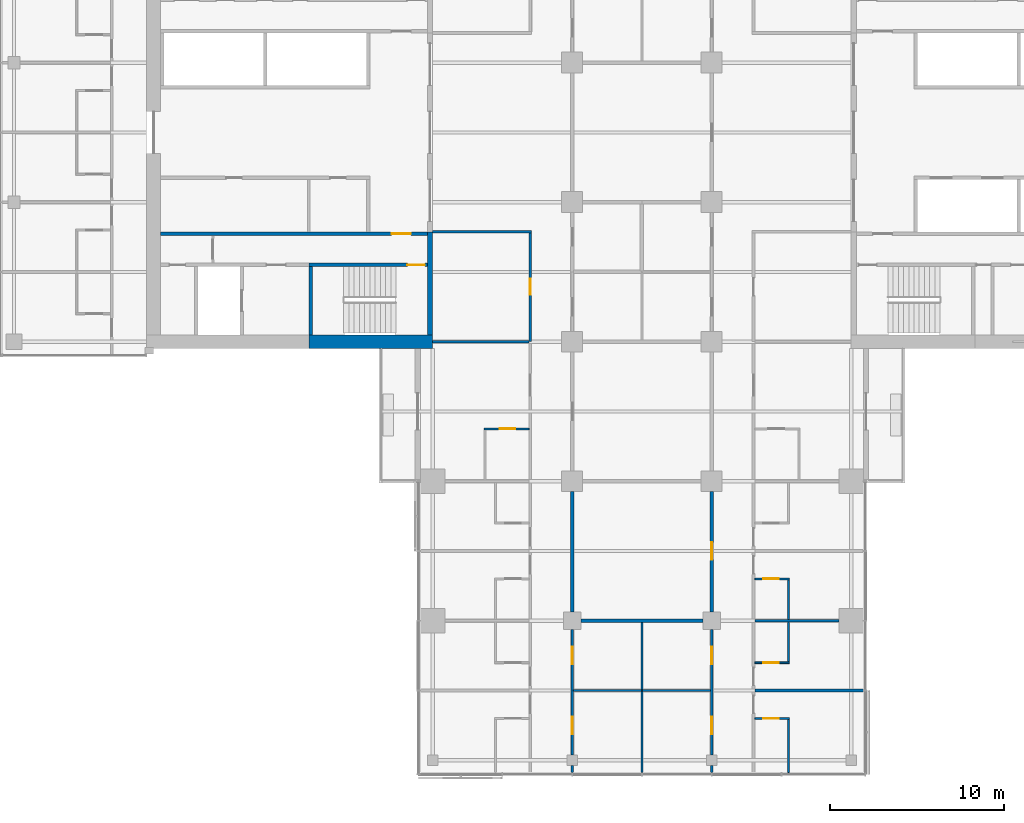
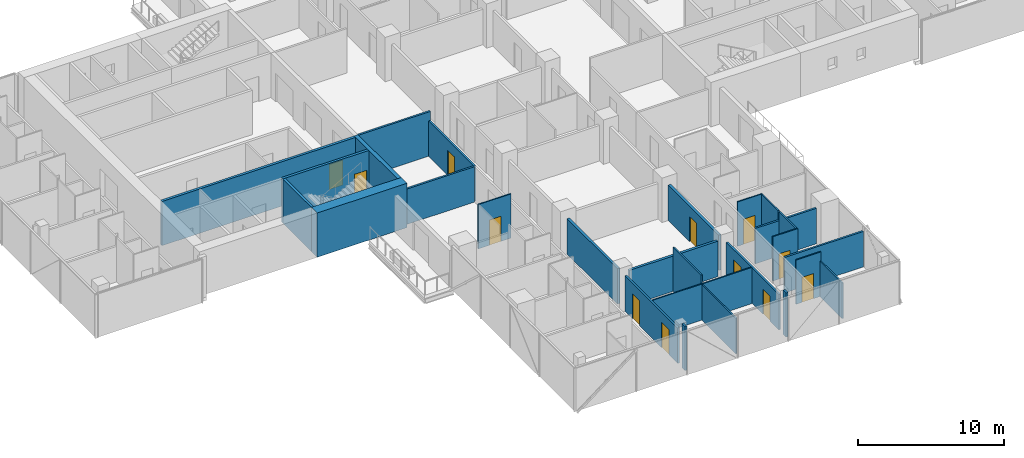
# One storey, part 16 of 29: 27 walls, 12 doors, 12 openings.
"""IFC4 building model written with IfcOpenShell, lengths in metres."""

from ifc_helpers import new_model, si_unit, direction, frame, frame_2d, origin, place, context, subcontext, project, spatial, rectangle, extrude, material, layer, layer_set, constituent, constituent_set, type_object, element, fill, save


model = new_model("IFC4")

# Units and contexts
model_context = context("Model", 3, precision=1e-05, world=origin(), true_north=direction((0.0, 1.0)))
body_context = subcontext(model_context, "Body", "Model", "MODEL_VIEW")
ifc_project = project(units=[si_unit("LENGTHUNIT", "METRE"), si_unit("AREAUNIT", "SQUARE_METRE"), si_unit("VOLUMEUNIT", "CUBIC_METRE"), si_unit("PLANEANGLEUNIT", "RADIAN"), si_unit("MASSUNIT", "GRAM", prefix="KILO")], contexts=[model_context])

# Site, building, storey
site_placement = place(None, origin())
site = spatial("IfcSite", under=ifc_project, at=site_placement, CompositionType="ELEMENT")
building_placement = place(site_placement, origin())
building = spatial("IfcBuilding", under=site, at=building_placement, Name="Crosswind Convention Tower", CompositionType="ELEMENT")
storey_placement = place(building_placement, frame((0.0, 0.0, 53.5)))
storey = spatial("IfcBuildingStorey", under=building, at=storey_placement, Name="L07", CompositionType="ELEMENT", Elevation=53.5)

# Wall
ifc_material_1 = material(Name="Plasterboard partition", Category="gypsum")
ifc_layer_1 = layer(ifc_material_1, 0.14990234375)
ifc_layer_set_1 = layer_set([ifc_layer_1], Name="CORRIDOR WALL 150")
wall_type_1 = type_object("IfcWallType", Name="CORRIDOR WALL 150", PredefinedType="PARTITIONING", material=ifc_layer_set_1)
wall_1_placement = place(storey_placement, frame((113.0, 94.300048828125, 0.0), z_axis=(0.0, 0.0, 1.0), x_axis=(1.0, 0.0, 0.0)))
element("IfcWall", 1, at=wall_1_placement, inside=storey, type_object=wall_type_1, Name="Corridor Wall 31", PredefinedType="PARTITIONING", context=body_context, shape_type="SweptSolid", body=[
    extrude(rectangle(XDim=5.675048828125, YDim=0.14990234375, at=frame_2d((2.83740234375, 0.0))), origin(), (0.0, 0.0, 1.0), 3.699951171875),
])

# Wall, opening, door
wall_2_placement = place(storey_placement, frame((118.60009765625, 88.0, 0.0), z_axis=(0.0, 0.0, 1.0), x_axis=(0.0, 1.0, 0.0)))
wall_2 = element("IfcWall", 2, at=wall_2_placement, inside=storey, type_object=wall_type_1, Name="Corridor Wall 104", PredefinedType="PARTITIONING", context=body_context, shape_type="SweptSolid", body=[
    extrude(rectangle(XDim=6.22509765625, YDim=0.14990234375, at=frame_2d((3.112548828125, 0.0))), origin(), (0.0, 0.0, 1.0), 2.956298828125),
])
opening_1_placement = place(wall_2_placement, frame((2.699951171875, 0.0, 0.0)))
opening_1 = element("IfcOpeningElement", 3, at=opening_1_placement, cuts=wall_2, Name="Opening 07.004", PredefinedType="OPENING", context=body_context, shape_type="SweptSolid", body=[
    extrude(rectangle(XDim=0.89990234375, YDim=2.10009765625, at=frame_2d((0.449951171875, 1.050048828125))), frame((0.0, 0.0849609375, 0.0), z_axis=(0.0, -1.0, 0.0), x_axis=(1.0, 0.0, 0.0)), (0.0, 0.0, 1.0), 0.169921875),
])
ifc_material_2 = material(Name="Timber door", Category="wood")
door_type_1 = type_object("IfcDoorType", Name="WC DOOR 900X2100", OperationType="NOTDEFINED", PredefinedType="DOOR", material=ifc_material_2)
door_1_placement = place(opening_1_placement, origin())
door_1 = element("IfcDoor", 4, at=door_1_placement, inside=storey, type_object=door_type_1, Name="Door 07.004", ObjectType="D7", OperationType="SINGLE_SWING_RIGHT", OverallHeight=2.10009765625, OverallWidth=0.89990234375, PredefinedType="DOOR", context=body_context, shape_type="SweptSolid", body=[
    extrude(rectangle(XDim=0.89990234375, YDim=2.10009765625, at=frame_2d((0.449951171875, 1.050048828125))), frame((0.0, 0.02490234375, 0.0), z_axis=(0.0, -1.0, 0.0), x_axis=(1.0, 0.0, 0.0)), (0.0, 0.0, 1.0), 0.050048828125),
])
fill(opening_1, door_1)

# Wall
wall_3_placement = place(storey_placement, frame((121.0, 63.300048828125, 0.0), z_axis=(0.0, 0.0, 1.0), x_axis=(0.0, 1.0, 0.0)))
element("IfcWall", 5, at=wall_3_placement, inside=storey, type_object=wall_type_1, Name="Corridor Wall 107", PredefinedType="PARTITIONING", context=body_context, shape_type="SweptSolid", body=[
    extrude(rectangle(XDim=0.39990234375, YDim=0.14990234375, at=frame_2d((0.199951171875, 0.0))), origin(), (0.0, 0.0, 1.0), 3.699951171875),
])

# Wall, openings, doors
wall_4_placement = place(storey_placement, frame((121.0, 64.300048828125, 0.0), z_axis=(0.0, 0.0, 1.0), x_axis=(0.0, 1.0, 0.0)))
wall_4 = element("IfcWall", 6, at=wall_4_placement, inside=storey, type_object=wall_type_1, Name="Corridor Wall 108", PredefinedType="PARTITIONING", context=body_context, shape_type="SweptSolid", body=[
    extrude(rectangle(XDim=7.199951171875, YDim=0.14990234375, at=frame_2d((3.60009765625, 0.0))), origin(), (0.0, 0.0, 1.0), 2.959716796875),
])
opening_2_placement = place(wall_4_placement, frame((1.199951171875, 0.0, 0.0)))
opening_2 = element("IfcOpeningElement", 7, at=opening_2_placement, cuts=wall_4, Name="Opening 07.069", PredefinedType="OPENING", context=body_context, shape_type="SweptSolid", body=[
    extrude(rectangle(XDim=1.0, YDim=2.10009765625, at=frame_2d((0.5, 1.050048828125))), frame((0.0, 0.0849609375, 0.0), z_axis=(0.0, -1.0, 0.0), x_axis=(1.0, 0.0, 0.0)), (0.0, 0.0, 1.0), 0.169921875),
])
opening_3_placement = place(wall_4_placement, frame((5.199951171875, 0.0, 0.0)))
opening_3 = element("IfcOpeningElement", 8, at=opening_3_placement, cuts=wall_4, Name="Opening 07.070", PredefinedType="OPENING", context=body_context, shape_type="SweptSolid", body=[
    extrude(rectangle(XDim=1.0, YDim=2.10009765625, at=frame_2d((0.5, 1.050048828125))), frame((0.0, 0.0849609375, 0.0), z_axis=(0.0, -1.0, 0.0), x_axis=(1.0, 0.0, 0.0)), (0.0, 0.0, 1.0), 0.169921875),
])
ifc_material_3 = material(Name="Timber fire door", Category="wood")
door_type_2 = type_object("IfcDoorType", Name="SERVICE ROOM DOOR 1000X2100", OperationType="NOTDEFINED", PredefinedType="DOOR", material=ifc_material_3)
door_2_placement = place(opening_2_placement, frame((1.0, 0.0, 0.0), z_axis=(0.0, 0.0, 1.0), x_axis=(-1.0, 0.0, 0.0)))
door_2 = element("IfcDoor", 9, at=door_2_placement, inside=storey, type_object=door_type_2, Name="Door 07.069", ObjectType="D3", OperationType="SINGLE_SWING_RIGHT", OverallHeight=2.10009765625, OverallWidth=1.0, PredefinedType="DOOR", context=body_context, shape_type="SweptSolid", body=[
    extrude(rectangle(XDim=1.0, YDim=2.10009765625, at=frame_2d((0.5, 1.050048828125))), frame((0.0, 0.02490234375, 0.0), z_axis=(0.0, -1.0, 0.0), x_axis=(1.0, 0.0, 0.0)), (0.0, 0.0, 1.0), 0.050048828125),
])
fill(opening_2, door_2)
door_3_placement = place(opening_3_placement, frame((1.0, 0.0, 0.0), z_axis=(0.0, 0.0, 1.0), x_axis=(-1.0, 0.0, 0.0)))
door_3 = element("IfcDoor", 10, at=door_3_placement, inside=storey, type_object=door_type_2, Name="Door 07.070", ObjectType="D3", OperationType="SINGLE_SWING_LEFT", OverallHeight=2.10009765625, OverallWidth=1.0, PredefinedType="DOOR", context=body_context, shape_type="SweptSolid", body=[
    extrude(rectangle(XDim=1.0, YDim=2.10009765625, at=frame_2d((0.5, 1.050048828125))), frame((0.0, 0.02490234375, 0.0), z_axis=(0.0, -1.0, 0.0), x_axis=(1.0, 0.0, 0.0)), (0.0, 0.0, 1.0), 0.050048828125),
])
fill(opening_3, door_3)

# Wall
wall_5_placement = place(storey_placement, frame((129.0, 63.300048828125, 0.0), z_axis=(0.0, 0.0, 1.0), x_axis=(0.0, 1.0, 0.0)))
element("IfcWall", 11, at=wall_5_placement, inside=storey, type_object=wall_type_1, Name="Corridor Wall 128", PredefinedType="PARTITIONING", context=body_context, shape_type="SweptSolid", body=[
    extrude(rectangle(XDim=0.39990234375, YDim=0.14990234375, at=frame_2d((0.199951171875, 0.0))), origin(), (0.0, 0.0, 1.0), 3.699951171875),
])

# Wall, openings, doors
wall_6_placement = place(storey_placement, frame((129.0, 64.300048828125, 0.0), z_axis=(0.0, 0.0, 1.0), x_axis=(0.0, 1.0, 0.0)))
wall_6 = element("IfcWall", 12, at=wall_6_placement, inside=storey, type_object=wall_type_1, Name="Corridor Wall 129", PredefinedType="PARTITIONING", context=body_context, shape_type="SweptSolid", body=[
    extrude(rectangle(XDim=7.199951171875, YDim=0.14990234375, at=frame_2d((3.60009765625, 0.0))), origin(), (0.0, 0.0, 1.0), 2.959716796875),
])
opening_4_placement = place(wall_6_placement, frame((1.199951171875, 0.0, 0.0)))
opening_4 = element("IfcOpeningElement", 13, at=opening_4_placement, cuts=wall_6, Name="Opening 07.071", PredefinedType="OPENING", context=body_context, shape_type="SweptSolid", body=[
    extrude(rectangle(XDim=1.0, YDim=2.10009765625, at=frame_2d((0.5, 1.050048828125))), frame((0.0, 0.0849609375, 0.0), z_axis=(0.0, -1.0, 0.0), x_axis=(1.0, 0.0, 0.0)), (0.0, 0.0, 1.0), 0.169921875),
])
opening_5_placement = place(wall_6_placement, frame((5.199951171875, 0.0, 0.0)))
opening_5 = element("IfcOpeningElement", 14, at=opening_5_placement, cuts=wall_6, Name="Opening 07.072", PredefinedType="OPENING", context=body_context, shape_type="SweptSolid", body=[
    extrude(rectangle(XDim=1.0, YDim=2.10009765625, at=frame_2d((0.5, 1.050048828125))), frame((0.0, 0.0849609375, 0.0), z_axis=(0.0, -1.0, 0.0), x_axis=(1.0, 0.0, 0.0)), (0.0, 0.0, 1.0), 0.169921875),
])
door_4_placement = place(opening_4_placement, origin())
door_4 = element("IfcDoor", 15, at=door_4_placement, inside=storey, type_object=door_type_2, Name="Door 07.071", ObjectType="D3", OperationType="SINGLE_SWING_LEFT", OverallHeight=2.10009765625, OverallWidth=1.0, PredefinedType="DOOR", context=body_context, shape_type="SweptSolid", body=[
    extrude(rectangle(XDim=1.0, YDim=2.10009765625, at=frame_2d((0.5, 1.050048828125))), frame((0.0, 0.02490234375, 0.0), z_axis=(0.0, -1.0, 0.0), x_axis=(1.0, 0.0, 0.0)), (0.0, 0.0, 1.0), 0.050048828125),
])
fill(opening_4, door_4)
door_5_placement = place(opening_5_placement, origin())
door_5 = element("IfcDoor", 16, at=door_5_placement, inside=storey, type_object=door_type_2, Name="Door 07.072", ObjectType="D3", OperationType="SINGLE_SWING_RIGHT", OverallHeight=2.10009765625, OverallWidth=1.0, PredefinedType="DOOR", context=body_context, shape_type="SweptSolid", body=[
    extrude(rectangle(XDim=1.0, YDim=2.10009765625, at=frame_2d((0.5, 1.050048828125))), frame((0.0, 0.02490234375, 0.0), z_axis=(0.0, -1.0, 0.0), x_axis=(1.0, 0.0, 0.0)), (0.0, 0.0, 1.0), 0.050048828125),
])
fill(opening_5, door_5)

# Wall
ifc_material_4 = material(Name="Concrete C50/60", Category="concrete")
ifc_layer_2 = layer(ifc_material_4, 0.300048828125)
ifc_layer_set_2 = layer_set([ifc_layer_2], Name="Concrete C50/60")
wall_type_2 = type_object("IfcWallType", Name="Concrete inner core wall 300", PredefinedType="SHEAR", material=ifc_layer_set_2)
wall_7_placement = place(storey_placement, frame((112.85009765625, 94.300048828125, 0.0), z_axis=(0.0, 0.0, 1.0), x_axis=(0.0, -1.0, 0.0)))
element("IfcWall", 17, at=wall_7_placement, inside=storey, type_object=wall_type_2, Name="Wall EP W L07", PredefinedType="SHEAR", context=body_context, shape_type="SweptSolid", body=[
    extrude(rectangle(XDim=5.900146484375, YDim=0.300048828125, at=frame_2d((2.9501953125, 0.0))), origin(), (0.0, 0.0, 1.0), 3.699951171875),
])

# Wall, opening, door
ifc_layer_3 = layer(ifc_material_4, 0.199951171875)
ifc_layer_set_3 = layer_set([ifc_layer_3], Name="Concrete C50/60")
wall_type_3 = type_object("IfcWallType", Name="Concrete shaft and stair wall 200", PredefinedType="SHEAR", material=ifc_layer_set_3)
wall_8_placement = place(storey_placement, frame((112.699951171875, 94.199951171875, 0.0), z_axis=(0.0, 0.0, 1.0), x_axis=(-1.0, 0.0, 0.0)))
wall_8 = element("IfcWall", 18, at=wall_8_placement, inside=storey, type_object=wall_type_3, Name="Wall HP W L07", PredefinedType="SHEAR", context=body_context, shape_type="SweptSolid", body=[
    extrude(rectangle(XDim=15.300048828125, YDim=0.199951171875, at=frame_2d((7.64990234375, 0.0))), origin(), (0.0, 0.0, 1.0), 3.699951171875),
])
opening_6_placement = place(wall_8_placement, frame((0.949951171875, 0.0, 0.0)))
opening_6 = element("IfcOpeningElement", 19, at=opening_6_placement, cuts=wall_8, Name="Opening D104", PredefinedType="OPENING", context=body_context, shape_type="SweptSolid", body=[
    extrude(rectangle(XDim=1.10009765625, YDim=2.10009765625, at=frame_2d((0.550048828125, 1.050048828125))), frame((0.0, 0.10986328125, 0.0), z_axis=(0.0, -1.0, 0.0), x_axis=(1.0, 0.0, 0.0)), (0.0, 0.0, 1.0), 0.219970703125),
])
ifc_material_5 = material(Name="Steel fire door", Category="steel")
door_type_3 = type_object("IfcDoorType", Name="Fire-rated single door 1100x2100", OperationType="NOTDEFINED", PredefinedType="DOOR", material=ifc_material_5)
door_6_placement = place(opening_6_placement, origin())
door_6 = element("IfcDoor", 20, at=door_6_placement, inside=storey, type_object=door_type_3, Name="Corridor door L07", ObjectType="D104", OperationType="SINGLE_SWING_LEFT", OverallHeight=2.10009765625, OverallWidth=1.10009765625, PredefinedType="DOOR", context=body_context, shape_type="SweptSolid", body=[
    extrude(rectangle(XDim=1.10009765625, YDim=2.10009765625, at=frame_2d((0.550048828125, 1.050048828125))), frame((0.0, 0.02490234375, 0.0), z_axis=(0.0, -1.0, 0.0), x_axis=(1.0, 0.0, 0.0)), (0.0, 0.0, 1.0), 0.050048828125),
])
fill(opening_6, door_6)

# Wall
wall_9_placement = place(storey_placement, frame((106.0, 92.300048828125, 0.0), z_axis=(0.0, 0.0, 1.0), x_axis=(0.0, -1.0, 0.0)))
element("IfcWall", 21, at=wall_9_placement, inside=storey, type_object=wall_type_3, Name="Wall PSE W L07", PredefinedType="SHEAR", context=body_context, shape_type="SweptSolid", body=[
    extrude(rectangle(XDim=3.900146484375, YDim=0.199951171875, at=frame_2d((1.9501953125, 0.0))), origin(), (0.0, 0.0, 1.0), 3.699951171875),
])

# Wall, opening, door
wall_10_placement = place(storey_placement, frame((112.699951171875, 92.39990234375, 0.0), z_axis=(0.0, 0.0, 1.0), x_axis=(-1.0, 0.0, 0.0)))
wall_10 = element("IfcWall", 22, at=wall_10_placement, inside=storey, type_object=wall_type_3, Name="Wall PCW W L07", PredefinedType="SHEAR", context=body_context, shape_type="SweptSolid", body=[
    extrude(rectangle(XDim=6.800048828125, YDim=0.199951171875, at=frame_2d((3.39990234375, 0.0))), origin(), (0.0, 0.0, 1.0), 3.699951171875),
])
opening_7_placement = place(wall_10_placement, frame((0.14990234375, 0.0, 0.0)))
opening_7 = element("IfcOpeningElement", 23, at=opening_7_placement, cuts=wall_10, Name="Opening D103", PredefinedType="OPENING", context=body_context, shape_type="SweptSolid", body=[
    extrude(rectangle(XDim=1.0, YDim=2.10009765625, at=frame_2d((0.5, 1.050048828125))), frame((0.0, 0.10986328125, 0.0), z_axis=(0.0, -1.0, 0.0), x_axis=(1.0, 0.0, 0.0)), (0.0, 0.0, 1.0), 0.219970703125),
])
door_type_4 = type_object("IfcDoorType", Name="Fire-rated single door 1000x2100", OperationType="NOTDEFINED", PredefinedType="DOOR", material=ifc_material_5)
door_7_placement = place(opening_7_placement, origin())
door_7 = element("IfcDoor", 24, at=door_7_placement, inside=storey, type_object=door_type_4, Name="Stair ST3 door L07", ObjectType="D103", OperationType="SINGLE_SWING_LEFT", OverallHeight=2.10009765625, OverallWidth=1.0, PredefinedType="DOOR", context=body_context, shape_type="SweptSolid", body=[
    extrude(rectangle(XDim=1.0, YDim=2.10009765625, at=frame_2d((0.5, 1.050048828125))), frame((0.0, 0.02490234375, 0.0), z_axis=(0.0, -1.0, 0.0), x_axis=(1.0, 0.0, 0.0)), (0.0, 0.0, 1.0), 0.050048828125),
])
fill(opening_7, door_7)

# Walls
ifc_material_6 = material(Name="Acoustic plasterboard partition", Category="gypsum")
ifc_layer_4 = layer(ifc_material_6, 0.14990234375)
ifc_layer_set_4 = layer_set([ifc_layer_4], Name="GUEST ROOM WALL 150")
wall_type_4 = type_object("IfcWallType", Name="GUEST ROOM WALL 150", PredefinedType="PARTITIONING", material=ifc_layer_set_4)
wall_11_placement = place(storey_placement, frame((131.47509765625, 68.0, 0.0), z_axis=(0.0, 0.0, 1.0), x_axis=(1.0, 0.0, 0.0)))
element("IfcWall", 25, at=wall_11_placement, inside=storey, type_object=wall_type_4, Name="Guest Room Wall 5", PredefinedType="PARTITIONING", context=body_context, shape_type="SweptSolid", body=[
    extrude(rectangle(XDim=6.224853515625, YDim=0.14990234375, at=frame_2d((3.1123046875, 0.0))), origin(), (0.0, 0.0, 1.0), 2.962890625),
])
wall_12_placement = place(storey_placement, frame((131.47509765625, 72.0, 0.0), z_axis=(0.0, 0.0, 1.0), x_axis=(1.0, 0.0, 0.0)))
element("IfcWall", 26, at=wall_12_placement, inside=storey, type_object=wall_type_4, Name="Guest Room Wall 10", PredefinedType="PARTITIONING", context=body_context, shape_type="SweptSolid", body=[
    extrude(rectangle(XDim=4.824951171875, YDim=0.14990234375, at=frame_2d((2.41259765625, 0.0))), origin(), (0.0, 0.0, 1.0), 2.959716796875),
])
wall_13_placement = place(storey_placement, frame((113.0, 88.0, 0.0), z_axis=(0.0, 0.0, 1.0), x_axis=(1.0, 0.0, 0.0)))
element("IfcWall", 27, at=wall_13_placement, inside=storey, type_object=wall_type_4, Name="Guest Room Wall 22", PredefinedType="PARTITIONING", context=body_context, shape_type="SweptSolid", body=[
    extrude(rectangle(XDim=5.52490234375, YDim=0.14990234375, at=frame_2d((2.762451171875, 0.0))), origin(), (0.0, 0.0, 1.0), 2.956298828125),
])
ifc_material_7 = material(Name="Double plasterboard partition", Category="gypsum")
ifc_layer_5 = layer(ifc_material_7, 0.199951171875)
ifc_layer_set_5 = layer_set([ifc_layer_5], Name="HALL WALL 200")
wall_type_5 = type_object("IfcWallType", Name="HALL WALL 200", PredefinedType="PARTITIONING", material=ifc_layer_set_5)
wall_14_placement = place(storey_placement, frame((121.5, 72.0, 0.0), z_axis=(0.0, 0.0, 1.0), x_axis=(1.0, 0.0, 0.0)))
element("IfcWall", 28, at=wall_14_placement, inside=storey, type_object=wall_type_5, Name="Hall Wall 9", PredefinedType="PARTITIONING", context=body_context, shape_type="SweptSolid", body=[
    extrude(rectangle(XDim=7.0, YDim=0.199951171875, at=frame_2d((3.5, 0.0))), origin(), (0.0, 0.0, 1.0), 2.959716796875),
])
wall_15_placement = place(storey_placement, frame((121.0, 72.5, 0.0), z_axis=(0.0, 0.0, 1.0), x_axis=(0.0, 1.0, 0.0)))
element("IfcWall", 29, at=wall_15_placement, inside=storey, type_object=wall_type_5, Name="Hall Wall 109", PredefinedType="PARTITIONING", context=body_context, shape_type="SweptSolid", body=[
    extrude(rectangle(XDim=6.89990234375, YDim=0.199951171875, at=frame_2d((3.449951171875, 0.0))), origin(), (0.0, 0.0, 1.0), 2.959716796875),
])

# Wall, opening, door
wall_16_placement = place(storey_placement, frame((129.0, 72.5, 0.0), z_axis=(0.0, 0.0, 1.0), x_axis=(0.0, 1.0, 0.0)))
wall_16 = element("IfcWall", 30, at=wall_16_placement, inside=storey, type_object=wall_type_5, Name="Hall Wall 130", PredefinedType="PARTITIONING", context=body_context, shape_type="SweptSolid", body=[
    extrude(rectangle(XDim=6.89990234375, YDim=0.199951171875, at=frame_2d((3.449951171875, 0.0))), origin(), (0.0, 0.0, 1.0), 2.959716796875),
])
opening_8_placement = place(wall_16_placement, frame((3.0, 0.0, 0.0)))
opening_8 = element("IfcOpeningElement", 31, at=opening_8_placement, cuts=wall_16, Name="Opening 07.073", PredefinedType="OPENING", context=body_context, shape_type="SweptSolid", body=[
    extrude(rectangle(XDim=1.0, YDim=2.10009765625, at=frame_2d((0.5, 1.050048828125))), frame((0.0, 0.10986328125, 0.0), z_axis=(0.0, -1.0, 0.0), x_axis=(1.0, 0.0, 0.0)), (0.0, 0.0, 1.0), 0.219970703125),
])
door_type_5 = type_object("IfcDoorType", Name="MEETING ROOM DOOR 1000X2100", OperationType="NOTDEFINED", PredefinedType="DOOR", material=ifc_material_3)
door_8_placement = place(opening_8_placement, frame((1.0, 0.0, 0.0), z_axis=(0.0, 0.0, 1.0), x_axis=(-1.0, 0.0, 0.0)))
door_8 = element("IfcDoor", 32, at=door_8_placement, inside=storey, type_object=door_type_5, Name="Door 07.073", ObjectType="D13", OperationType="SINGLE_SWING_LEFT", OverallHeight=2.10009765625, OverallWidth=1.0, PredefinedType="DOOR", context=body_context, shape_type="SweptSolid", body=[
    extrude(rectangle(XDim=1.0, YDim=2.10009765625, at=frame_2d((0.5, 1.050048828125))), frame((0.0, 0.02490234375, 0.0), z_axis=(0.0, -1.0, 0.0), x_axis=(1.0, 0.0, 0.0)), (0.0, 0.0, 1.0), 0.050048828125),
])
fill(opening_8, door_8)

# Walls
ifc_layer_6 = layer(ifc_material_1, 0.10009765625)
ifc_layer_set_6 = layer_set([ifc_layer_6], Name="PARTITION 100")
wall_type_6 = type_object("IfcWallType", Name="PARTITION 100", PredefinedType="PARTITIONING", material=ifc_layer_set_6)
wall_17_placement = place(storey_placement, frame((121.074951171875, 68.0, 0.0), z_axis=(0.0, 0.0, 1.0), x_axis=(1.0, 0.0, 0.0)))
element("IfcWall", 33, at=wall_17_placement, inside=storey, type_object=wall_type_6, Name="Partition 4", PredefinedType="PARTITIONING", context=body_context, shape_type="SweptSolid", body=[
    extrude(rectangle(XDim=7.85009765625, YDim=0.10009765625, at=frame_2d((3.925048828125, 0.0))), origin(), (0.0, 0.0, 1.0), 3.013671875),
])
wall_18_placement = place(storey_placement, frame((125.0, 63.300048828125, 0.0), z_axis=(0.0, 0.0, 1.0), x_axis=(0.0, 1.0, 0.0)))
element("IfcWall", 34, at=wall_18_placement, inside=storey, type_object=wall_type_6, Name="Partition 120", PredefinedType="PARTITIONING", context=body_context, shape_type="SweptSolid", body=[
    extrude(rectangle(XDim=4.64990234375, YDim=0.10009765625, at=frame_2d((2.324951171875, 0.0))), origin(), (0.0, 0.0, 1.0), 2.962890625),
])
wall_19_placement = place(storey_placement, frame((125.0, 68.050048828125, 0.0), z_axis=(0.0, 0.0, 1.0), x_axis=(0.0, 1.0, 0.0)))
element("IfcWall", 35, at=wall_19_placement, inside=storey, type_object=wall_type_6, Name="Partition 121", PredefinedType="PARTITIONING", context=body_context, shape_type="SweptSolid", body=[
    extrude(rectangle(XDim=3.849853515625, YDim=0.10009765625, at=frame_2d((1.9248046875, 0.0))), origin(), (0.0, 0.0, 1.0), 3.699951171875),
])
ifc_material_8 = material(Name="Concrete C60/75", Category="concrete")
ifc_constituent_1 = constituent(ifc_material_8, Name="Structure")
ifc_material_9 = material(Name="Terracotta rainscreen", Category="ceramic")
ifc_constituent_2 = constituent(ifc_material_9, Name="Facing")
ifc_constituent_set = constituent_set(constituents=[ifc_constituent_1, ifc_constituent_2], Name="Concrete C60/75, Terracotta rainscreen")
wall_type_7 = type_object("IfcWallType", Name="Terracotta rainscreen on concrete core wall 800", PredefinedType="SHEAR", material=ifc_constituent_set)
wall_20_placement = place(storey_placement, frame((113.0, 88.0, 0.0), z_axis=(0.0, 0.0, 1.0), x_axis=(-1.0, 0.0, 0.0)))
element("IfcWall", 36, at=wall_20_placement, inside=storey, type_object=wall_type_7, Name="Wall N1 W L07", PredefinedType="SHEAR", context=body_context, shape_type="SweptSolid", body=[
    extrude(rectangle(XDim=7.10009765625, YDim=0.800048828125, at=frame_2d((3.550048828125, 0.0))), origin(), (0.0, 0.0, 1.0), 3.699951171875),
])

# Wall, opening, door
ifc_material_10 = material(Name="Water-resistant plasterboard partition", Category="gypsum")
ifc_layer_7 = layer(ifc_material_10, 0.10009765625)
ifc_layer_set_7 = layer_set([ifc_layer_7], Name="WET ROOM PARTITION 100")
wall_type_8 = type_object("IfcWallType", Name="WET ROOM PARTITION 100", PredefinedType="PLUMBINGWALL", material=ifc_layer_set_7)
wall_21_placement = place(storey_placement, frame((131.47509765625, 66.39990234375, 0.0), z_axis=(0.0, 0.0, 1.0), x_axis=(1.0, 0.0, 0.0)))
wall_21 = element("IfcWall", 37, at=wall_21_placement, inside=storey, type_object=wall_type_8, Name="Wet Room Partition 2", PredefinedType="PLUMBINGWALL", context=body_context, shape_type="SweptSolid", body=[
    extrude(rectangle(XDim=1.974853515625, YDim=0.10009765625, at=frame_2d((0.9873046875, 0.0))), origin(), (0.0, 0.0, 1.0), 3.699951171875),
])
opening_9_placement = place(wall_21_placement, frame((0.47509765625, 0.0, 0.0)))
opening_9 = element("IfcOpeningElement", 38, at=opening_9_placement, cuts=wall_21, Name="Opening 07.034", PredefinedType="OPENING", context=body_context, shape_type="SweptSolid", body=[
    extrude(rectangle(XDim=0.89990234375, YDim=2.10009765625, at=frame_2d((0.449951171875, 1.050048828125))), frame((0.0, 0.06005859375, 0.0), z_axis=(0.0, -1.0, 0.0), x_axis=(1.0, 0.0, 0.0)), (0.0, 0.0, 1.0), 0.1201171875),
])
door_type_6 = type_object("IfcDoorType", Name="EN-SUITE DOOR 900X2100", OperationType="NOTDEFINED", PredefinedType="DOOR", material=ifc_material_2)
door_9_placement = place(opening_9_placement, frame((0.89990234375, 0.0, 0.0), z_axis=(0.0, 0.0, 1.0), x_axis=(-1.0, 0.0, 0.0)))
door_9 = element("IfcDoor", 39, at=door_9_placement, inside=storey, type_object=door_type_6, Name="Door 07.034", ObjectType="D2", OperationType="SINGLE_SWING_LEFT", OverallHeight=2.10009765625, OverallWidth=0.89990234375, PredefinedType="DOOR", context=body_context, shape_type="SweptSolid", body=[
    extrude(rectangle(XDim=0.89990234375, YDim=2.10009765625, at=frame_2d((0.449951171875, 1.050048828125))), frame((0.0, 0.02490234375, 0.0), z_axis=(0.0, -1.0, 0.0), x_axis=(1.0, 0.0, 0.0)), (0.0, 0.0, 1.0), 0.050048828125),
])
fill(opening_9, door_9)

wall_22_placement = place(storey_placement, frame((131.47509765625, 69.60009765625, 0.0), z_axis=(0.0, 0.0, 1.0), x_axis=(1.0, 0.0, 0.0)))
wall_22 = element("IfcWall", 40, at=wall_22_placement, inside=storey, type_object=wall_type_8, Name="Wet Room Partition 7", PredefinedType="PLUMBINGWALL", context=body_context, shape_type="SweptSolid", body=[
    extrude(rectangle(XDim=1.974853515625, YDim=0.10009765625, at=frame_2d((0.9873046875, 0.0))), origin(), (0.0, 0.0, 1.0), 3.699951171875),
])
opening_10_placement = place(wall_22_placement, frame((0.47509765625, 0.0, 0.0)))
opening_10 = element("IfcOpeningElement", 41, at=opening_10_placement, cuts=wall_22, Name="Opening 07.032", PredefinedType="OPENING", context=body_context, shape_type="SweptSolid", body=[
    extrude(rectangle(XDim=0.89990234375, YDim=2.10009765625, at=frame_2d((0.449951171875, 1.050048828125))), frame((0.0, 0.06005859375, 0.0), z_axis=(0.0, -1.0, 0.0), x_axis=(1.0, 0.0, 0.0)), (0.0, 0.0, 1.0), 0.1201171875),
])
door_10_placement = place(opening_10_placement, origin())
door_10 = element("IfcDoor", 42, at=door_10_placement, inside=storey, type_object=door_type_6, Name="Door 07.032", ObjectType="D2", OperationType="SINGLE_SWING_RIGHT", OverallHeight=2.10009765625, OverallWidth=0.89990234375, PredefinedType="DOOR", context=body_context, shape_type="SweptSolid", body=[
    extrude(rectangle(XDim=0.89990234375, YDim=2.10009765625, at=frame_2d((0.449951171875, 1.050048828125))), frame((0.0, 0.02490234375, 0.0), z_axis=(0.0, -1.0, 0.0), x_axis=(1.0, 0.0, 0.0)), (0.0, 0.0, 1.0), 0.050048828125),
])
fill(opening_10, door_10)

wall_23_placement = place(storey_placement, frame((131.47509765625, 74.39990234375, 0.0), z_axis=(0.0, 0.0, 1.0), x_axis=(1.0, 0.0, 0.0)))
wall_23 = element("IfcWall", 43, at=wall_23_placement, inside=storey, type_object=wall_type_8, Name="Wet Room Partition 12", PredefinedType="PLUMBINGWALL", context=body_context, shape_type="SweptSolid", body=[
    extrude(rectangle(XDim=1.974853515625, YDim=0.10009765625, at=frame_2d((0.9873046875, 0.0))), origin(), (0.0, 0.0, 1.0), 3.699951171875),
])
opening_11_placement = place(wall_23_placement, frame((0.47509765625, 0.0, 0.0)))
opening_11 = element("IfcOpeningElement", 44, at=opening_11_placement, cuts=wall_23, Name="Opening 07.030", PredefinedType="OPENING", context=body_context, shape_type="SweptSolid", body=[
    extrude(rectangle(XDim=0.89990234375, YDim=2.10009765625, at=frame_2d((0.449951171875, 1.050048828125))), frame((0.0, 0.06005859375, 0.0), z_axis=(0.0, -1.0, 0.0), x_axis=(1.0, 0.0, 0.0)), (0.0, 0.0, 1.0), 0.1201171875),
])
door_11_placement = place(opening_11_placement, frame((0.89990234375, 0.0, 0.0), z_axis=(0.0, 0.0, 1.0), x_axis=(-1.0, 0.0, 0.0)))
door_11 = element("IfcDoor", 45, at=door_11_placement, inside=storey, type_object=door_type_6, Name="Door 07.030", ObjectType="D2", OperationType="SINGLE_SWING_LEFT", OverallHeight=2.10009765625, OverallWidth=0.89990234375, PredefinedType="DOOR", context=body_context, shape_type="SweptSolid", body=[
    extrude(rectangle(XDim=0.89990234375, YDim=2.10009765625, at=frame_2d((0.449951171875, 1.050048828125))), frame((0.0, 0.02490234375, 0.0), z_axis=(0.0, -1.0, 0.0), x_axis=(1.0, 0.0, 0.0)), (0.0, 0.0, 1.0), 0.050048828125),
])
fill(opening_11, door_11)

wall_24_placement = place(storey_placement, frame((115.949951171875, 83.0, 0.0), z_axis=(0.0, 0.0, 1.0), x_axis=(1.0, 0.0, 0.0)))
wall_24 = element("IfcWall", 46, at=wall_24_placement, inside=storey, type_object=wall_type_8, Name="Wet Room Partition 20", PredefinedType="PLUMBINGWALL", context=body_context, shape_type="SweptSolid", body=[
    extrude(rectangle(XDim=2.574951171875, YDim=0.10009765625, at=frame_2d((1.28759765625, 0.0))), origin(), (0.0, 0.0, 1.0), 3.699951171875),
])
opening_12_placement = place(wall_24_placement, frame((0.89990234375, 0.0, 0.0)))
opening_12 = element("IfcOpeningElement", 47, at=opening_12_placement, cuts=wall_24, Name="Opening 07.036", PredefinedType="OPENING", context=body_context, shape_type="SweptSolid", body=[
    extrude(rectangle(XDim=0.89990234375, YDim=2.10009765625, at=frame_2d((0.449951171875, 1.050048828125))), frame((0.0, 0.06005859375, 0.0), z_axis=(0.0, -1.0, 0.0), x_axis=(1.0, 0.0, 0.0)), (0.0, 0.0, 1.0), 0.1201171875),
])
door_12_placement = place(opening_12_placement, frame((0.89990234375, 0.0, 0.0), z_axis=(0.0, 0.0, 1.0), x_axis=(-1.0, 0.0, 0.0)))
door_12 = element("IfcDoor", 48, at=door_12_placement, inside=storey, type_object=door_type_6, Name="Door 07.036", ObjectType="D2", OperationType="SINGLE_SWING_LEFT", OverallHeight=2.10009765625, OverallWidth=0.89990234375, PredefinedType="DOOR", context=body_context, shape_type="SweptSolid", body=[
    extrude(rectangle(XDim=0.89990234375, YDim=2.10009765625, at=frame_2d((0.449951171875, 1.050048828125))), frame((0.0, 0.02490234375, 0.0), z_axis=(0.0, -1.0, 0.0), x_axis=(1.0, 0.0, 0.0)), (0.0, 0.0, 1.0), 0.050048828125),
])
fill(opening_12, door_12)

# Walls
wall_25_placement = place(storey_placement, frame((133.39990234375, 63.300048828125, 0.0), z_axis=(0.0, 0.0, 1.0), x_axis=(0.0, 1.0, 0.0)))
element("IfcWall", 49, at=wall_25_placement, inside=storey, type_object=wall_type_8, Name="Wet Room Partition 143", PredefinedType="PLUMBINGWALL", context=body_context, shape_type="SweptSolid", body=[
    extrude(rectangle(XDim=3.050048828125, YDim=0.10009765625, at=frame_2d((1.52490234375, 0.0))), origin(), (0.0, 0.0, 1.0), 2.962890625),
])
for number, where, z_axis, x_axis, name in (
    (50, (133.39990234375, 69.64990234375, 0.0), (0.0, 0.0, 1.0), (0.0, 1.0, 0.0), "Wet Room Partition 144"),
    (51, (133.39990234375, 72.074951171875, 0.0), (0.0, 0.0, 1.0), (0.0, 1.0, 0.0), "Wet Room Partition 145"),
):
    element("IfcWall", number, at=place(storey_placement, frame(where, z_axis=z_axis, x_axis=x_axis)), inside=storey, type_object=wall_type_8, Name=name, PredefinedType="PLUMBINGWALL", context=body_context, shape_type="SweptSolid", body=[
        extrude(rectangle(XDim=2.275146484375, YDim=0.10009765625, at=frame_2d((1.1376953125, 0.0))), origin(), (0.0, 0.0, 1.0), 3.699951171875),
    ])

save(model, "model.ifc")
